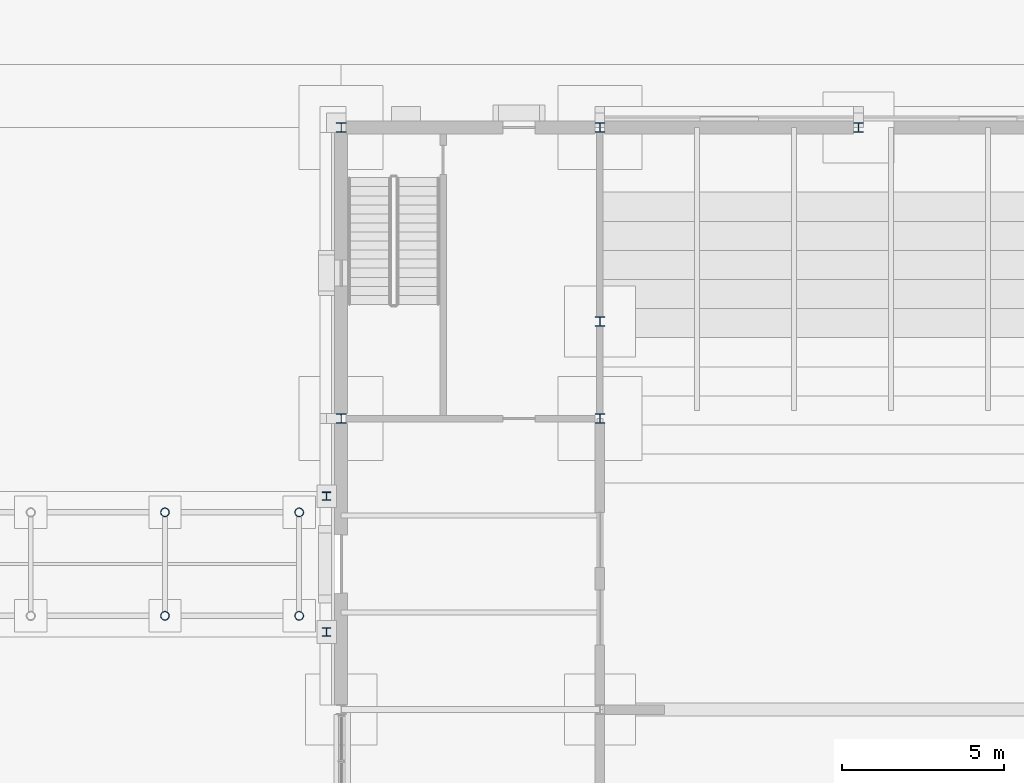
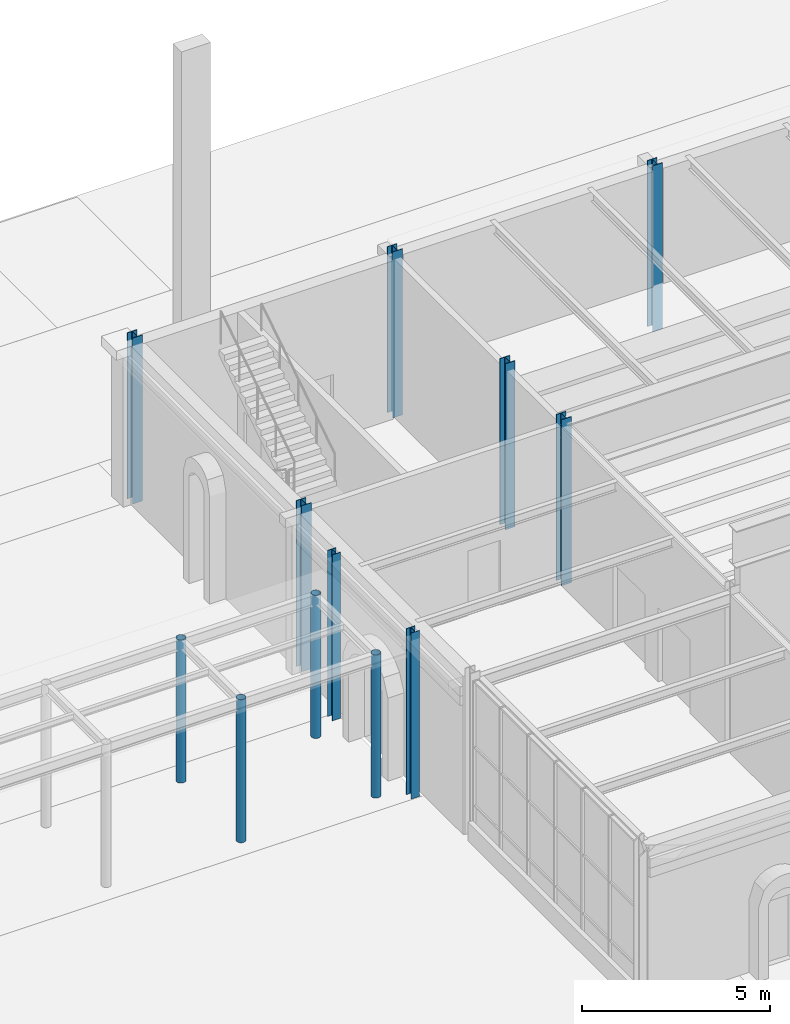
# One storey, part 27 of 126: 12 columns.
"""IFC4 building model written with IfcOpenShell, lengths in metres."""

import ifcopenshell
import ifcopenshell.guid

model = None  # the IFC model being written
_history = None  # IfcOwnerHistory: only IFC2X3 demands one
_inside = {}  # id of a spatial element -> (the spatial element, [elements in it])
_under = {}  # id of a project, library or spatial element -> (it, [spatial elements below it])
_declared = {}  # id of a project -> (the project, [libraries it declares])
_typed = {}  # id of a type object -> (the type object, [elements of that type])
_made_of = {}  # id of a material, layer set ... -> (it, [elements and type objects made of it])


def new_model(schema):
    """Start an empty IFC model of exactly this schema.

    Asked for "IFC4X3", IfcOpenShell would pick the latest addendum, in which some entities
    have other attributes; the version numbers below select the first issue.
    IFC2X3 requires an IfcOwnerHistory on every rooted entity: one is made here for all.
    """
    global model, _history
    if schema == "IFC4X3":
        model = ifcopenshell.file(schema_version=(4, 3, 0, 0))
    else:
        model = ifcopenshell.file(schema=schema)
    _inside.clear()
    _under.clear()
    _declared.clear()
    _typed.clear()
    _made_of.clear()
    _history = None
    if model.schema == "IFC2X3":
        org = make("IfcOrganization", Name="unknown")
        user = make(
            "IfcPersonAndOrganization",
            ThePerson=make("IfcPerson", FamilyName="unknown"),
            TheOrganization=org,
        )
        app = make(
            "IfcApplication",
            ApplicationDeveloper=org,
            Version="unknown",
            ApplicationFullName="unknown",
            ApplicationIdentifier="unknown",
        )
        _history = make(
            "IfcOwnerHistory",
            OwningUser=user,
            OwningApplication=app,
            ChangeAction="ADDED",
            CreationDate=0,
        )
    return model


def make(cls, **values):
    """One entity of the class cls with the attributes given. An attribute that is None is left unset."""
    return model.create_entity(
        cls, **{name: value for name, value in values.items() if value is not None}
    )


def rooted(cls, **values):
    """An entity with a GlobalId (a new one), such as an element, a storey or a relation."""
    return make(cls, GlobalId=ifcopenshell.guid.new(), OwnerHistory=_history, **values)


def si_unit(unit_type, name, prefix=None):
    """IfcSIUnit, for example si_unit("LENGTHUNIT", "METRE", prefix="MILLI")."""
    return make("IfcSIUnit", UnitType=unit_type, Prefix=prefix, Name=name)


def assignment(units):
    """IfcUnitAssignment: the units of a project."""
    return None if units is None else make("IfcUnitAssignment", Units=units)


def point(xyz):
    """IfcCartesianPoint."""
    return None if xyz is None else make("IfcCartesianPoint", Coordinates=xyz)


def direction(xyz):
    """IfcDirection."""
    return None if xyz is None else make("IfcDirection", DirectionRatios=xyz)


def frame(location, z_axis=None, x_axis=None):
    """IfcAxis2Placement3D, a coordinate frame: its origin and axes. An axis left out is left unset."""
    return make(
        "IfcAxis2Placement3D",
        Location=point(location),
        Axis=direction(z_axis),
        RefDirection=direction(x_axis),
    )


def frame_2d(location, x_axis=None):
    """IfcAxis2Placement2D, a coordinate frame in the plane: its origin and x axis."""
    return make(
        "IfcAxis2Placement2D", Location=point(location), RefDirection=direction(x_axis)
    )


def origin():
    """The frame at (0, 0, 0) with its axes left unset."""
    return frame((0.0, 0.0, 0.0))


def origin_2d():
    """The frame at (0, 0) in the plane with its x axis left unset."""
    return frame_2d((0.0, 0.0))


def place(relative_to, where):
    """IfcLocalPlacement: puts the frame where relative to a parent placement (None: the world)."""
    return make(
        "IfcLocalPlacement", PlacementRelTo=relative_to, RelativePlacement=where
    )


def context(
    kind, dimensions, precision=None, world=None, true_north=None, identifier=None
):
    """IfcGeometricRepresentationContext, for example the 3D "Model" context."""
    return make(
        "IfcGeometricRepresentationContext",
        ContextIdentifier=identifier,
        ContextType=kind,
        CoordinateSpaceDimension=dimensions,
        Precision=precision,
        WorldCoordinateSystem=world,
        TrueNorth=true_north,
    )


def subcontext(parent, identifier, kind, view, scale=None):
    """IfcGeometricRepresentationSubContext, for example "Body" below "Model"."""
    return make(
        "IfcGeometricRepresentationSubContext",
        ContextIdentifier=identifier,
        ContextType=kind,
        ParentContext=parent,
        TargetScale=scale,
        TargetView=view,
    )


def project(units=None, contexts=None):
    """IfcProject with its units and contexts."""
    return rooted(
        "IfcProject",
        Name="project",
        RepresentationContexts=contexts,
        UnitsInContext=assignment(units),
    )


def spatial(cls, under=None, at=None, **own):
    """A site, building, storey or space (cls), placed at a placement, below another one or the project."""
    s = rooted(cls, ObjectPlacement=at, **own)
    if under is not None:
        _under.setdefault(under.id(), (under, []))[1].append(s)
    return s


def profile(cls, at=None, kind="AREA", **sizes):
    """A parametric profile (cls). Its sizes go by their IFC names, for example OverallWidth=200.0."""
    return make(cls, ProfileType=kind, Position=at, **sizes)


def hollow_circle(**sizes):
    """IfcCircleHollowProfileDef."""
    return profile("IfcCircleHollowProfileDef", **sizes)


def i_section(**sizes):
    """IfcIShapeProfileDef."""
    return profile("IfcIShapeProfileDef", **sizes)


def extrude(swept, where, along, depth):
    """IfcExtrudedAreaSolid: the profile swept, set in the frame where, extruded along a direction by depth."""
    return make(
        "IfcExtrudedAreaSolid",
        SweptArea=swept,
        Position=where,
        ExtrudedDirection=direction(along),
        Depth=depth,
    )


def shape(context_of_items, identifier, shape_type, items):
    """IfcShapeRepresentation: the items that make up one representation, for example the "Body"."""
    return make(
        "IfcShapeRepresentation",
        ContextOfItems=context_of_items,
        RepresentationIdentifier=identifier,
        RepresentationType=shape_type,
        Items=items,
    )


def material(Name=None, Category=None):
    """IfcMaterial."""
    return make("IfcMaterial", Name=Name, Category=Category)


def material_profile(
    of_material, cross_section, Name=None, Category=None, Priority=None
):
    """IfcMaterialProfile: a cross section and its material."""
    return make(
        "IfcMaterialProfile",
        Name=Name,
        Material=of_material,
        Profile=cross_section,
        Priority=Priority,
        Category=Category,
    )


def profile_set(profiles, Name=None, composite=None):
    """IfcMaterialProfileSet."""
    return make(
        "IfcMaterialProfileSet",
        Name=Name,
        MaterialProfiles=profiles,
        CompositeProfile=composite,
    )


def made_of(thing, what):
    """Note that an element or type object is made of a material, layer set ...; save() writes the relation."""
    if what is not None:
        _made_of.setdefault(what.id(), (what, []))[1].append(thing)
    return thing


def type_object(cls, material=None, **own):
    """A type object (cls), such as IfcWallType, which elements share."""
    return made_of(rooted(cls, **own), material)


def element(
    cls,
    number,
    at=None,
    inside=None,
    cuts=None,
    type_object=None,
    material=None,
    context=None,
    identifier="Body",
    shape_type=None,
    held_by="IfcProductDefinitionShape",
    body=None,
    shapes=None,
    **own,
):
    """One element of the class cls, such as IfcWall. Its Tag is "e" and its number.

    at: its placement. inside: the storey or other place that contains it. cuts: it is an
    opening in that element (IfcRelVoidsElement). A single representation is given by context,
    identifier, shape_type and body (its items); several are given by shapes. held_by: the class
    of the entity that holds the representations. save() writes the other relations.
    """
    e = rooted(cls, Tag="e%d" % number, ObjectPlacement=at, **own)
    if body is not None:
        shapes = [shape(context, identifier, shape_type, body)]
    if shapes is not None:
        e.Representation = make(held_by, Representations=shapes)
    if inside is not None:
        _inside.setdefault(inside.id(), (inside, []))[1].append(e)
    if cuts is not None:
        rooted(
            "IfcRelVoidsElement", RelatingBuildingElement=cuts, RelatedOpeningElement=e
        )
    if type_object is not None:
        _typed.setdefault(type_object.id(), (type_object, []))[1].append(e)
    return made_of(e, material)


def aggregate(whole, parts):
    """IfcRelAggregates: a whole, such as a stair, and the parts it consists of."""
    return rooted("IfcRelAggregates", RelatingObject=whole, RelatedObjects=parts)


def save(model, path):
    """Write the relations noted so far, then the file.

    IfcRelAggregates (storeys below a building ...), IfcRelContainedInSpatialStructure (elements
    in a storey), IfcRelDefinesByType, IfcRelAssociatesMaterial and IfcRelDeclares: one each for
    every whole, place, type object, material and project.
    """
    for whole, parts in _under.values():
        aggregate(whole, parts)
    for where, things in _inside.values():
        rooted(
            "IfcRelContainedInSpatialStructure",
            RelatedElements=things,
            RelatingStructure=where,
        )
    for kind, things in _typed.values():
        rooted("IfcRelDefinesByType", RelatedObjects=things, RelatingType=kind)
    for what, things in _made_of.values():
        rooted("IfcRelAssociatesMaterial", RelatedObjects=things, RelatingMaterial=what)
    for by, libraries in _declared.values():
        rooted("IfcRelDeclares", RelatingContext=by, RelatedDefinitions=libraries)
    model.write(path)


model = new_model("IFC4")

# Units and contexts
model_context = context("Model", 3, precision=1e-05, world=origin(), true_north=direction((0.0, 1.0)))
body_context = subcontext(model_context, "Body", "Model", "MODEL_VIEW")
ifc_project = project(units=[si_unit("LENGTHUNIT", "METRE"), si_unit("AREAUNIT", "SQUARE_METRE"), si_unit("VOLUMEUNIT", "CUBIC_METRE"), si_unit("PLANEANGLEUNIT", "RADIAN"), si_unit("MASSUNIT", "GRAM", prefix="KILO")], contexts=[model_context])

# Site, building, storey
site_placement = place(None, origin())
site = spatial("IfcSite", under=ifc_project, at=site_placement, CompositionType="ELEMENT")
building_placement = place(site_placement, origin())
building = spatial("IfcBuilding", under=site, at=building_placement, Name="Kallimachos Central Library", CompositionType="ELEMENT")
storey_placement = place(building_placement, origin())
storey = spatial("IfcBuildingStorey", under=building, at=storey_placement, Name="L00", CompositionType="ELEMENT", Elevation=0.0)

# Columns
ifc_material_1 = material(Name="Steel S355J2H", Category="steel")
ifc_material_profile_1 = material_profile(ifc_material_1, hollow_circle(Radius=0.136474609375, WallThickness=0.012451171875, at=origin_2d()), Name="CHS 273x12.5")
ifc_profile_set_1 = profile_set([ifc_material_profile_1], Name="Steel S355J2H")
column_type_1 = type_object("IfcColumnType", Name="CHS 273x12.5 column", PredefinedType="COLUMN", material=ifc_profile_set_1)
for number, where, z_axis, x_axis, name in (
    (1, (132.550048828125, 98.89990234375, 0.0), (0.0, 0.0, 1.0), (1.0, 0.0, 0.0), "Arcade A2 column"),
    (2, (132.550048828125, 102.10009765625, 0.0), (0.0, 0.0, 1.0), (1.0, 0.0, 0.0), "Arcade A2 column"),
    (3, (136.699951171875, 98.89990234375, 0.0), (0.0, 0.0, 1.0), (1.0, 0.0, 0.0), "Arcade A2 column"),
    (4, (136.699951171875, 102.10009765625, 0.0), (0.0, 0.0, 1.0), (1.0, 0.0, 0.0), "Arcade A2 column"),
):
    element("IfcColumn", number, at=place(storey_placement, frame(where, z_axis=z_axis, x_axis=x_axis)), inside=storey, type_object=column_type_1, Name=name, PredefinedType="COLUMN", context=body_context, shape_type="SweptSolid", body=[
        extrude(hollow_circle(Radius=0.136474609375, WallThickness=0.012451171875, at=origin_2d()), origin(), (0.0, 0.0, 1.0), 4.64990234375),
    ])
ifc_material_2 = material(Name="Steel S355J2", Category="steel")
ifc_material_profile_2 = material_profile(ifc_material_2, i_section(OverallWidth=0.260009765625, OverallDepth=0.260009765625, WebThickness=0.010009765625, FlangeThickness=0.017578125, FilletRadius=0.02392578125, at=origin_2d()), Name="HEB 260")
ifc_profile_set_2 = profile_set([ifc_material_profile_2], Name="Steel S355J2")
column_type_2 = type_object("IfcColumnType", Name="HEB 260 column", PredefinedType="COLUMN", material=ifc_profile_set_2)
for number, where, z_axis, x_axis, name in (
    (5, (137.550048828125, 98.39990234375, 0.0), (0.0, 0.0, 1.0), (1.0, 0.0, 0.0), "B-E landing column"),
    (6, (137.550048828125, 102.60009765625, 0.0), (0.0, 0.0, 1.0), (1.0, 0.0, 0.0), "B-E landing column"),
):
    element("IfcColumn", number, at=place(storey_placement, frame(where, z_axis=z_axis, x_axis=x_axis)), inside=storey, type_object=column_type_2, Name=name, PredefinedType="COLUMN", context=body_context, shape_type="SweptSolid", body=[
        extrude(i_section(OverallWidth=0.260009765625, OverallDepth=0.260009765625, WebThickness=0.010009765625, FlangeThickness=0.017578125, FilletRadius=0.02392578125, at=origin_2d()), origin(), (0.0, 0.0, 1.0), 5.39990234375),
    ])
ifc_material_3 = material(Name="Steel S355J2", Category="steel")
ifc_material_profile_3 = material_profile(ifc_material_3, i_section(OverallWidth=0.300048828125, OverallDepth=0.300048828125, WebThickness=0.010986328125, FlangeThickness=0.01904296875, FilletRadius=0.027099609375, at=origin_2d()), Name="HEB 300")
ifc_profile_set_3 = profile_set([ifc_material_profile_3], Name="Steel S355J2")
column_type_3 = type_object("IfcColumnType", Name="HEB 300 column", PredefinedType="COLUMN", material=ifc_profile_set_3)
for number, where, z_axis, x_axis, name in (
    (7, (138.0, 105.0, 0.0), (0.0, 0.0, 1.0), (1.0, 0.0, 0.0), "V3-COL-L00-005"),
    (8, (138.0, 114.0, 0.0), (0.0, 0.0, 1.0), (1.0, 0.0, 0.0), "V3-COL-L00-007"),
    (9, (146.0, 108.0, 0.0), (0.0, 0.0, 1.0), (1.0, 0.0, 0.0), "V3-COL-L00-012"),
    (10, (146.0, 105.0, 0.0), (0.0, 0.0, 1.0), (1.0, 0.0, 0.0), "V3-COL-L00-013"),
    (11, (146.0, 114.0, 0.0), (0.0, 0.0, 1.0), (1.0, 0.0, 0.0), "V3-COL-L00-014"),
    (12, (154.0, 114.0, 0.0), (0.0, 0.0, 1.0), (1.0, 0.0, 0.0), "V3-COL-L00-019"),
):
    element("IfcColumn", number, at=place(storey_placement, frame(where, z_axis=z_axis, x_axis=x_axis)), inside=storey, type_object=column_type_3, Name=name, PredefinedType="COLUMN", context=body_context, shape_type="SweptSolid", body=[
        extrude(i_section(OverallWidth=0.300048828125, OverallDepth=0.300048828125, WebThickness=0.010986328125, FlangeThickness=0.01904296875, FilletRadius=0.027099609375, at=origin_2d()), origin(), (0.0, 0.0, 1.0), 5.39990234375),
    ])

save(model, "model.ifc")
